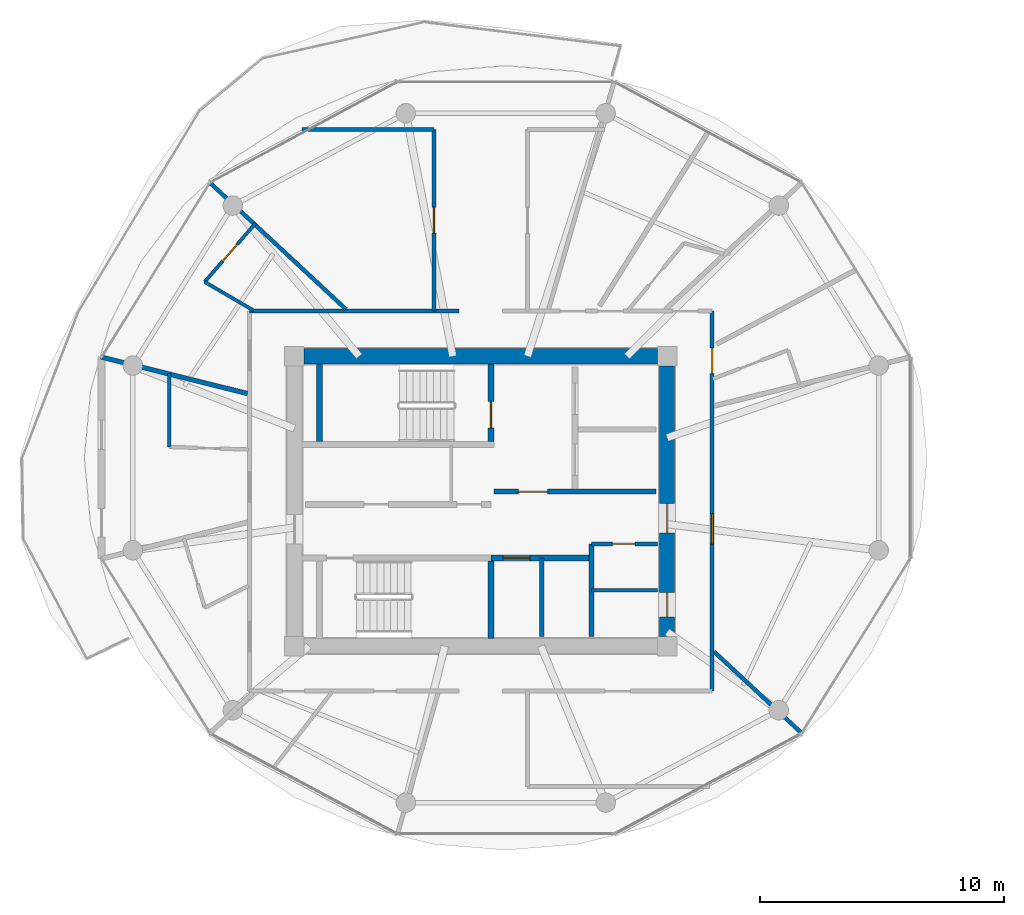
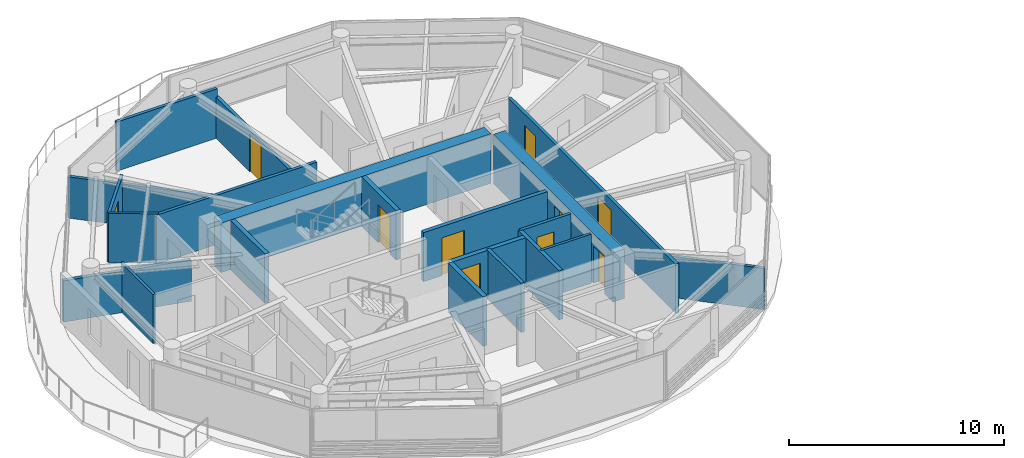
# One storey, part 13 of 22: 21 walls, 10 doors, 10 openings.
"""IFC4 building model written with IfcOpenShell, lengths in metres."""

from ifc_helpers import new_model, si_unit, direction, frame, frame_2d, origin, place, context, subcontext, project, spatial, rectangle, extrude, source, transform, mapped, material, layer, layer_set, type_object, type_shapes, element, fill, save


model = new_model("IFC4")

# Units and contexts
model_context = context("Model", 3, precision=1e-05, world=origin(), true_north=direction((0.0, 1.0)))
body_context = subcontext(model_context, "Body", "Model", "MODEL_VIEW")
ifc_project = project(units=[si_unit("LENGTHUNIT", "METRE"), si_unit("AREAUNIT", "SQUARE_METRE"), si_unit("VOLUMEUNIT", "CUBIC_METRE"), si_unit("PLANEANGLEUNIT", "RADIAN"), si_unit("MASSUNIT", "GRAM", prefix="KILO")], contexts=[model_context])

# Site, building, storey
site_placement = place(None, origin())
site = spatial("IfcSite", under=ifc_project, at=site_placement, CompositionType="ELEMENT")
building_placement = place(site_placement, origin())
building = spatial("IfcBuilding", under=site, at=building_placement, Name="Norrkilde Senior Care Towers", CompositionType="ELEMENT")
storey_placement = place(building_placement, frame((0.0, 0.0, 152.60009765625)))
storey = spatial("IfcBuildingStorey", under=building, at=storey_placement, Name="L47", CompositionType="ELEMENT", Elevation=152.60009765625)

# Wall
ifc_material_1 = material(Name="Concrete C50/60", Category="concrete")
ifc_layer_1 = layer(ifc_material_1, 0.6201171875)
ifc_layer_set_1 = layer_set([ifc_layer_1], Name="Concrete C50/60")
wall_type_1 = type_object("IfcWallType", Name="Core Shear Wall Z3 620", PredefinedType="SHEAR", material=ifc_layer_set_1)
shared_shape_1 = source(origin(), body_context, "Body", "SweptSolid", [
    extrude(rectangle(XDim=14.5, YDim=0.6201171875, at=frame_2d((7.25, 0.0))), origin(), (0.0, 0.0, 1.0), 2.809814453125),
])
wall_1_placement = place(storey_placement, frame((-35.25, 5.949951171875, 0.0), z_axis=(0.0, 0.0, 1.0), x_axis=(1.0, 0.0, 0.0)))
element("IfcWall", 1, at=wall_1_placement, inside=storey, type_object=wall_type_1, Name="L47 Core W North Shear Wall", PredefinedType="SHEAR", context=body_context, shape_type="MappedRepresentation", body=[
    mapped(shared_shape_1, transform((0.0, 0.0, 0.0), x_axis=(1.0, 0.0, 0.0), y_axis=(0.0, 1.0, 0.0), z_axis=(0.0, 0.0, 1.0), scale=1.0)),
])

# Wall, openings, doors
shared_shape_2 = source(origin(), body_context, "Body", "SweptSolid", [
    extrude(rectangle(XDim=11.10009765625, YDim=0.6201171875, at=frame_2d((5.550048828125, 0.0))), origin(), (0.0, 0.0, 1.0), 2.809814453125),
])
type_shapes(wall_type_1, [shared_shape_1, shared_shape_2])
wall_2_placement = place(storey_placement, frame((-20.35009765625, 5.550048828125, 0.0), z_axis=(0.0, 0.0, 1.0), x_axis=(0.0, -1.0, 0.0)))
wall_2 = element("IfcWall", 2, at=wall_2_placement, inside=storey, type_object=wall_type_1, Name="L47 Core W East Shear Wall", PredefinedType="SHEAR", context=body_context, shape_type="MappedRepresentation", body=[
    mapped(shared_shape_2, transform((0.0, 0.0, 0.0), x_axis=(1.0, 0.0, 0.0), y_axis=(0.0, 1.0, 0.0), z_axis=(0.0, 0.0, 1.0), scale=1.0)),
])
opening_1_placement = place(wall_2_placement, frame((5.64990234375, 0.0, 0.0)))
opening_1 = element("IfcOpeningElement", 3, at=opening_1_placement, cuts=wall_2, Name="Opening D-04", PredefinedType="OPENING", context=body_context, shape_type="SweptSolid", body=[
    extrude(rectangle(XDim=1.199951171875, YDim=2.14990234375, at=frame_2d((0.60009765625, 1.074951171875))), frame((0.0, 0.320068359375, 0.0), z_axis=(0.0, -1.0, 0.0), x_axis=(1.0, 0.0, 0.0)), (0.0, 0.0, 1.0), 0.64013671875),
])
opening_2_placement = place(wall_2_placement, frame((9.300048828125, 0.0, 0.0)))
opening_2 = element("IfcOpeningElement", 4, at=opening_2_placement, cuts=wall_2, Name="Opening D-10", PredefinedType="OPENING", context=body_context, shape_type="SweptSolid", body=[
    extrude(rectangle(XDim=1.0, YDim=2.10009765625, at=frame_2d((0.5, 1.050048828125))), frame((0.0, 0.320068359375, 0.0), z_axis=(0.0, -1.0, 0.0), x_axis=(1.0, 0.0, 0.0)), (0.0, 0.0, 1.0), 0.64013671875),
])
ifc_material_2 = material(Name="Galvanised Painted Steel", Category="steel")
door_type_1 = type_object("IfcDoorType", Name="Firefighting Lobby Fire Door 1200x2150", OperationType="NOTDEFINED", PredefinedType="DOOR", material=ifc_material_2)
shared_shape_3 = source(origin(), body_context, "Body", "SweptSolid", [
    extrude(rectangle(XDim=1.199951171875, YDim=2.14990234375, at=frame_2d((0.60009765625, 1.074951171875))), frame((0.0, 0.02490234375, 0.0), z_axis=(0.0, -1.0, 0.0), x_axis=(1.0, 0.0, 0.0)), (0.0, 0.0, 1.0), 0.050048828125),
])
type_shapes(door_type_1, [shared_shape_3])
door_1_placement = place(opening_1_placement, frame((1.199951171875, 0.0, 0.0), z_axis=(0.0, 0.0, 1.0), x_axis=(-1.0, 0.0, 0.0)))
door_1 = element("IfcDoor", 5, at=door_1_placement, inside=storey, type_object=door_type_1, Name="L47 Core W East Portal Door", OperationType="SINGLE_SWING_RIGHT", OverallHeight=2.14990234375, OverallWidth=1.199951171875, PredefinedType="DOOR", context=body_context, shape_type="MappedRepresentation", body=[
    mapped(shared_shape_3, transform((0.0, 0.0, 0.0), x_axis=(1.0, 0.0, 0.0), y_axis=(0.0, 1.0, 0.0), z_axis=(0.0, 0.0, 1.0), scale=1.0)),
])
fill(opening_1, door_1)
door_type_2 = type_object("IfcDoorType", Name="Plant and Riser Rated Door 1000x2100", OperationType="NOTDEFINED", PredefinedType="DOOR", material=ifc_material_2)
shared_shape_4 = source(origin(), body_context, "Body", "SweptSolid", [
    extrude(rectangle(XDim=1.0, YDim=2.10009765625, at=frame_2d((0.5, 1.050048828125))), frame((0.0, 0.02490234375, 0.0), z_axis=(0.0, -1.0, 0.0), x_axis=(1.0, 0.0, 0.0)), (0.0, 0.0, 1.0), 0.050048828125),
])
type_shapes(door_type_2, [shared_shape_4])
door_2_placement = place(opening_2_placement, frame((1.0, 0.0, 0.0), z_axis=(0.0, 0.0, 1.0), x_axis=(-1.0, 0.0, 0.0)))
door_2 = element("IfcDoor", 6, at=door_2_placement, inside=storey, type_object=door_type_2, Name="L47 Ventilation Riser W Door", OperationType="SINGLE_SWING_RIGHT", OverallHeight=2.10009765625, OverallWidth=1.0, PredefinedType="DOOR", context=body_context, shape_type="MappedRepresentation", body=[
    mapped(shared_shape_4, transform((0.0, 0.0, 0.0), x_axis=(1.0, 0.0, 0.0), y_axis=(0.0, 1.0, 0.0), z_axis=(0.0, 0.0, 1.0), scale=1.0)),
])
fill(opening_2, door_2)

# Wall, opening, door
ifc_material_3 = material(Name="Concrete C45/55", Category="concrete")
ifc_layer_2 = layer(ifc_material_3, 0.2099609375)
ifc_layer_set_2 = layer_set([ifc_layer_2], Name="Concrete C45/55")
wall_type_2 = type_object("IfcWallType", Name="Firefighting Lobby Wall 210", PredefinedType="PARTITIONING", material=ifc_layer_set_2)
shared_shape_5 = source(origin(), body_context, "Body", "SweptSolid", [
    extrude(rectangle(XDim=6.659912109375, YDim=0.2099609375, at=frame_2d((3.330078125, 0.0))), origin(), (0.0, 0.0, 1.0), 2.794921875),
])
type_shapes(wall_type_2, [shared_shape_5])
wall_3_placement = place(storey_placement, frame((-27.4599609375, 0.389892578125, 0.0), z_axis=(0.0, 0.0, 1.0), x_axis=(1.0, 0.0, 0.0)))
wall_3 = element("IfcWall", 7, at=wall_3_placement, inside=storey, type_object=wall_type_2, Name="WL-INT-L47-W-FFLS", PredefinedType="PARTITIONING", context=body_context, shape_type="MappedRepresentation", body=[
    mapped(shared_shape_5, transform((0.0, 0.0, 0.0), x_axis=(1.0, 0.0, 0.0), y_axis=(0.0, 1.0, 0.0), z_axis=(0.0, 0.0, 1.0), scale=1.0)),
])
opening_3_placement = place(wall_3_placement, frame((1.0, 0.0, 0.0)))
opening_3 = element("IfcOpeningElement", 8, at=opening_3_placement, cuts=wall_3, Name="Opening D-04", PredefinedType="OPENING", context=body_context, shape_type="SweptSolid", body=[
    extrude(rectangle(XDim=1.199951171875, YDim=2.14990234375, at=frame_2d((0.60009765625, 1.074951171875))), frame((0.0, 0.114990234375, 0.0), z_axis=(0.0, -1.0, 0.0), x_axis=(1.0, 0.0, 0.0)), (0.0, 0.0, 1.0), 0.22998046875),
])
door_3_placement = place(opening_3_placement, frame((1.199951171875, 0.0, 0.0), z_axis=(0.0, 0.0, 1.0), x_axis=(-1.0, 0.0, 0.0)))
door_3 = element("IfcDoor", 9, at=door_3_placement, inside=storey, type_object=door_type_1, Name="L47 Firefighting Lobby W Door", OperationType="SINGLE_SWING_LEFT", OverallHeight=2.14990234375, OverallWidth=1.199951171875, PredefinedType="DOOR", context=body_context, shape_type="MappedRepresentation", body=[
    mapped(shared_shape_3, transform((0.0, 0.0, 0.0), x_axis=(1.0, 0.0, 0.0), y_axis=(0.0, 1.0, 0.0), z_axis=(0.0, 0.0, 1.0), scale=1.0)),
])
fill(opening_3, door_3)

# Wall
ifc_layer_3 = layer(ifc_material_3, 0.199951171875)
ifc_layer_set_3 = layer_set([ifc_layer_3], Name="Concrete C45/55")
wall_type_3 = type_object("IfcWallType", Name="Shaft Division and Plant Partition 200", PredefinedType="PARTITIONING", material=ifc_layer_set_3)
shared_shape_6 = source(origin(), body_context, "Body", "SweptSolid", [
    extrude(rectangle(XDim=3.800048828125, YDim=0.199951171875, at=frame_2d((1.89990234375, 0.0))), origin(), (0.0, 0.0, 1.0), 2.794921875),
])
type_shapes(wall_type_3, [shared_shape_6])
wall_4_placement = place(storey_placement, frame((-23.449951171875, -5.550048828125, 0.0), z_axis=(0.0, 0.0, 1.0), x_axis=(0.0, 1.0, 0.0)))
element("IfcWall", 10, at=wall_4_placement, inside=storey, type_object=wall_type_3, Name="WL-INT-L47-W-PKBE", PredefinedType="PARTITIONING", context=body_context, shape_type="MappedRepresentation", body=[
    mapped(shared_shape_6, transform((0.0, 0.0, 0.0), x_axis=(1.0, 0.0, 0.0), y_axis=(0.0, 1.0, 0.0), z_axis=(0.0, 0.0, 1.0), scale=1.0)),
])

# Wall, opening, door
ifc_layer_4 = layer(ifc_material_3, 0.239990234375)
ifc_layer_set_4 = layer_set([ifc_layer_4], Name="Concrete C45/55")
wall_type_4 = type_object("IfcWallType", Name="Lift and Plant Rated Enclosure Partition 240", PredefinedType="PARTITIONING", material=ifc_layer_set_4)
shared_shape_7 = source(origin(), body_context, "Body", "SweptSolid", [
    extrude(rectangle(XDim=4.130126953125, YDim=0.239990234375, at=frame_2d((2.06494140625, 0.0))), origin(), (0.0, 0.0, 1.0), 2.794921875),
])
type_shapes(wall_type_4, [shared_shape_7])
wall_5_placement = place(storey_placement, frame((-27.580078125, -2.330078125, 0.0), z_axis=(0.0, 0.0, 1.0), x_axis=(1.0, 0.0, 0.0)))
wall_5 = element("IfcWall", 11, at=wall_5_placement, inside=storey, type_object=wall_type_4, Name="WL-INT-L47-W-PKBN", PredefinedType="PARTITIONING", context=body_context, shape_type="MappedRepresentation", body=[
    mapped(shared_shape_7, transform((0.0, 0.0, 0.0), x_axis=(1.0, 0.0, 0.0), y_axis=(0.0, 1.0, 0.0), z_axis=(0.0, 0.0, 1.0), scale=1.0)),
])
opening_4_placement = place(wall_5_placement, frame((0.5, 0.0, 0.0)))
opening_4 = element("IfcOpeningElement", 12, at=opening_4_placement, cuts=wall_5, Name="Opening LD-01", PredefinedType="OPENING", context=body_context, shape_type="SweptSolid", body=[
    extrude(rectangle(XDim=1.10009765625, YDim=2.199951171875, at=frame_2d((0.550048828125, 1.10009765625))), frame((0.0, 0.1298828125, 0.0), z_axis=(0.0, -1.0, 0.0), x_axis=(1.0, 0.0, 0.0)), (0.0, 0.0, 1.0), 0.260009765625),
])
ifc_material_4 = material(Name="Stainless Steel", Category="steel")
door_type_3 = type_object("IfcDoorType", Name="Lift Landing Sliding Door 1100x2200", OperationType="NOTDEFINED", PredefinedType="DOOR", material=ifc_material_4)
shared_shape_8 = source(origin(), body_context, "Body", "SweptSolid", [
    extrude(rectangle(XDim=1.10009765625, YDim=2.199951171875, at=frame_2d((0.550048828125, 1.10009765625))), frame((0.0, 0.02490234375, 0.0), z_axis=(0.0, -1.0, 0.0), x_axis=(1.0, 0.0, 0.0)), (0.0, 0.0, 1.0), 0.050048828125),
])
type_shapes(door_type_3, [shared_shape_8])
door_4_placement = place(opening_4_placement, frame((1.10009765625, 0.0, 0.0), z_axis=(0.0, 0.0, 1.0), x_axis=(-1.0, 0.0, 0.0)))
door_4 = element("IfcDoor", 13, at=door_4_placement, inside=storey, type_object=door_type_3, Name="L47 Passenger Lift W3 Landing Door", OperationType="SLIDING_TO_LEFT", OverallHeight=2.199951171875, OverallWidth=1.10009765625, PredefinedType="DOOR", context=body_context, shape_type="MappedRepresentation", body=[
    mapped(shared_shape_8, transform((0.0, 0.0, 0.0), x_axis=(1.0, 0.0, 0.0), y_axis=(0.0, 1.0, 0.0), z_axis=(0.0, 0.0, 1.0), scale=1.0)),
])
fill(opening_4, door_4)

# Wall
ifc_layer_5 = layer(ifc_material_3, 0.179931640625)
ifc_layer_set_5 = layer_set([ifc_layer_5], Name="Concrete C45/55")
wall_type_5 = type_object("IfcWallType", Name="Hoistway Division Rated Partition 180", PredefinedType="PARTITIONING", material=ifc_layer_set_5)
shared_shape_9 = source(origin(), body_context, "Body", "SweptSolid", [
    extrude(rectangle(XDim=3.219970703125, YDim=0.179931640625, at=frame_2d((1.60986328125, 0.0))), origin(), (0.0, 0.0, 1.0), 2.794921875),
])
type_shapes(wall_type_5, [shared_shape_9])
wall_6_placement = place(storey_placement, frame((-25.5, -5.550048828125, 0.0), z_axis=(0.0, 0.0, 1.0), x_axis=(0.0, 1.0, 0.0)))
element("IfcWall", 14, at=wall_6_placement, inside=storey, type_object=wall_type_5, Name="WL-INT-L47-W-PL34", PredefinedType="PARTITIONING", context=body_context, shape_type="MappedRepresentation", body=[
    mapped(shared_shape_9, transform((0.0, 0.0, 0.0), x_axis=(1.0, 0.0, 0.0), y_axis=(0.0, 1.0, 0.0), z_axis=(0.0, 0.0, 1.0), scale=1.0)),
])

# Wall, opening, door
ifc_material_5 = material(Name="Gypsum Acoustic Board")
ifc_layer_6 = layer(ifc_material_5, 0.1650390625)
ifc_layer_set_6 = layer_set([ifc_layer_6], Name="Gypsum Acoustic Board")
wall_type_6 = type_object("IfcWallType", Name="Corridor Rated Partition 165", PredefinedType="PARTITIONING", material=ifc_layer_set_6)
shared_shape_10 = source(origin(), body_context, "Body", "SweptSolid", [
    extrude(rectangle(XDim=2.699951171875, YDim=0.1650390625, at=frame_2d((1.35009765625, 0.0))), origin(), (0.0, 0.0, 1.0), 2.794921875),
])
wall_7_placement = place(storey_placement, frame((-23.449951171875, -1.75, 0.0), z_axis=(0.0, 0.0, 1.0), x_axis=(1.0, 0.0, 0.0)))
wall_7 = element("IfcWall", 15, at=wall_7_placement, inside=storey, type_object=wall_type_6, Name="WL-INT-L47-W-CSN", PredefinedType="PARTITIONING", context=body_context, shape_type="MappedRepresentation", body=[
    mapped(shared_shape_10, transform((0.0, 0.0, 0.0), x_axis=(1.0, 0.0, 0.0), y_axis=(0.0, 1.0, 0.0), z_axis=(0.0, 0.0, 1.0), scale=1.0)),
])
opening_5_placement = place(wall_7_placement, frame((0.85009765625, 0.0, 0.0)))
opening_5 = element("IfcOpeningElement", 16, at=opening_5_placement, cuts=wall_7, Name="Opening D-12", PredefinedType="OPENING", context=body_context, shape_type="SweptSolid", body=[
    extrude(rectangle(XDim=0.925048828125, YDim=2.10009765625, at=frame_2d((0.46240234375, 1.050048828125))), frame((0.0, 0.092529296875, 0.0), z_axis=(0.0, -1.0, 0.0), x_axis=(1.0, 0.0, 0.0)), (0.0, 0.0, 1.0), 0.18505859375),
])
door_type_4 = type_object("IfcDoorType", Name="Core Wet Room Rated Door 925x2100", OperationType="NOTDEFINED", PredefinedType="DOOR", material=ifc_material_2)
shared_shape_11 = source(origin(), body_context, "Body", "SweptSolid", [
    extrude(rectangle(XDim=0.925048828125, YDim=2.10009765625, at=frame_2d((0.46240234375, 1.050048828125))), frame((0.0, 0.02490234375, 0.0), z_axis=(0.0, -1.0, 0.0), x_axis=(1.0, 0.0, 0.0)), (0.0, 0.0, 1.0), 0.050048828125),
])
type_shapes(door_type_4, [shared_shape_11])
door_5_placement = place(opening_5_placement, origin())
door_5 = element("IfcDoor", 17, at=door_5_placement, inside=storey, type_object=door_type_4, Name="L47 Staff WC W Door", OperationType="SINGLE_SWING_LEFT", OverallHeight=2.10009765625, OverallWidth=0.925048828125, PredefinedType="DOOR", context=body_context, shape_type="MappedRepresentation", body=[
    mapped(shared_shape_11, transform((0.0, 0.0, 0.0), x_axis=(1.0, 0.0, 0.0), y_axis=(0.0, 1.0, 0.0), z_axis=(0.0, 0.0, 1.0), scale=1.0)),
])
fill(opening_5, door_5)

# Walls
ifc_layer_7 = layer(ifc_material_5, 0.139892578125)
ifc_layer_set_7 = layer_set([ifc_layer_7], Name="Gypsum Acoustic Board")
wall_type_7 = type_object("IfcWallType", Name="En-suite Wet Room Wall 140", PredefinedType="PARTITIONING", material=ifc_layer_set_7)
shared_shape_12 = source(origin(), body_context, "Body", "SweptSolid", [
    extrude(rectangle(XDim=2.699951171875, YDim=0.139892578125, at=frame_2d((1.35009765625, 0.0))), origin(), (0.0, 0.0, 1.0), 2.794921875),
])
wall_8_placement = place(storey_placement, frame((-23.449951171875, -3.64990234375, 0.0), z_axis=(0.0, 0.0, 1.0), x_axis=(1.0, 0.0, 0.0)))
element("IfcWall", 18, at=wall_8_placement, inside=storey, type_object=wall_type_7, Name="WL-INT-L47-W-CS2H", PredefinedType="PARTITIONING", context=body_context, shape_type="MappedRepresentation", body=[
    mapped(shared_shape_12, transform((0.0, 0.0, 0.0), x_axis=(1.0, 0.0, 0.0), y_axis=(0.0, 1.0, 0.0), z_axis=(0.0, 0.0, 1.0), scale=1.0)),
])
shared_shape_13 = source(origin(), body_context, "Body", "SweptSolid", [
    extrude(rectangle(XDim=8.60009765625, YDim=0.1650390625, at=frame_2d((4.300048828125, 0.0))), origin(), (0.0, 0.0, 1.0), 2.794921875),
])
wall_9_placement = place(storey_placement, frame((-37.5, 7.800048828125, 0.0), z_axis=(0.0, 0.0, 1.0), x_axis=(1.0, 0.0, 0.0)))
element("IfcWall", 19, at=wall_9_placement, inside=storey, type_object=wall_type_6, Name="WL-INT-L47-W-CRW-N-0", PredefinedType="PARTITIONING", context=body_context, shape_type="MappedRepresentation", body=[
    mapped(shared_shape_13, transform((0.0, 0.0, 0.0), x_axis=(1.0, 0.0, 0.0), y_axis=(0.0, 1.0, 0.0), z_axis=(0.0, 0.0, 1.0), scale=1.0)),
])

# Wall, openings, doors
shared_shape_14 = source(origin(), body_context, "Body", "SweptSolid", [
    extrude(rectangle(XDim=15.60009765625, YDim=0.1650390625, at=frame_2d((7.800048828125, 0.0))), origin(), (0.0, 0.0, 1.0), 2.794921875),
])
wall_10_placement = place(storey_placement, frame((-18.5, 7.800048828125, 0.0), z_axis=(0.0, 0.0, 1.0), x_axis=(0.0, -1.0, 0.0)))
wall_10 = element("IfcWall", 20, at=wall_10_placement, inside=storey, type_object=wall_type_6, Name="WL-INT-L47-W-CRW-E-0", PredefinedType="PARTITIONING", context=body_context, shape_type="MappedRepresentation", body=[
    mapped(shared_shape_14, transform((0.0, 0.0, 0.0), x_axis=(1.0, 0.0, 0.0), y_axis=(0.0, 1.0, 0.0), z_axis=(0.0, 0.0, 1.0), scale=1.0)),
])
opening_6_placement = place(wall_10_placement, frame((8.31396484375, 0.0, 0.0)))
opening_6 = element("IfcOpeningElement", 21, at=opening_6_placement, cuts=wall_10, Name="Opening D-05", PredefinedType="OPENING", context=body_context, shape_type="SweptSolid", body=[
    extrude(rectangle(XDim=1.25, YDim=2.199951171875, at=frame_2d((0.625, 1.10009765625))), frame((0.0, 0.092529296875, 0.0), z_axis=(0.0, -1.0, 0.0), x_axis=(1.0, 0.0, 0.0)), (0.0, 0.0, 1.0), 0.18505859375),
])
opening_7_placement = place(wall_10_placement, frame((1.514892578125, 0.0, 0.0)))
opening_7 = element("IfcOpeningElement", 22, at=opening_7_placement, cuts=wall_10, Name="Opening D-06", PredefinedType="OPENING", context=body_context, shape_type="SweptSolid", body=[
    extrude(rectangle(XDim=1.050048828125, YDim=2.14990234375, at=frame_2d((0.52490234375, 1.074951171875))), frame((0.0, 0.092529296875, 0.0), z_axis=(0.0, -1.0, 0.0), x_axis=(1.0, 0.0, 0.0)), (0.0, 0.0, 1.0), 0.18505859375),
])
ifc_material_6 = material(Name="Nordic Ash Timber", Category="wood")
door_type_5 = type_object("IfcDoorType", Name="Care Bedroom Bariatric Door 1250x2200", OperationType="NOTDEFINED", PredefinedType="DOOR", material=ifc_material_6)
shared_shape_15 = source(origin(), body_context, "Body", "SweptSolid", [
    extrude(rectangle(XDim=1.25, YDim=2.199951171875, at=frame_2d((0.625, 1.10009765625))), frame((0.0, 0.02490234375, 0.0), z_axis=(0.0, -1.0, 0.0), x_axis=(1.0, 0.0, 0.0)), (0.0, 0.0, 1.0), 0.050048828125),
])
type_shapes(door_type_5, [shared_shape_15])
door_6_placement = place(opening_6_placement, frame((1.25, 0.0, 0.0), z_axis=(0.0, 0.0, 1.0), x_axis=(-1.0, 0.0, 0.0)))
door_6 = element("IfcDoor", 23, at=door_6_placement, inside=storey, type_object=door_type_5, Name="L47 Resident Family Conference Room Door", OperationType="SINGLE_SWING_LEFT", OverallHeight=2.199951171875, OverallWidth=1.25, PredefinedType="DOOR", context=body_context, shape_type="MappedRepresentation", body=[
    mapped(shared_shape_15, transform((0.0, 0.0, 0.0), x_axis=(1.0, 0.0, 0.0), y_axis=(0.0, 1.0, 0.0), z_axis=(0.0, 0.0, 1.0), scale=1.0)),
])
fill(opening_6, door_6)
door_type_6 = type_object("IfcDoorType", Name="Apartment Entrance Fire Door 1050x2150", OperationType="NOTDEFINED", PredefinedType="DOOR", material=ifc_material_6)
shared_shape_16 = source(origin(), body_context, "Body", "SweptSolid", [
    extrude(rectangle(XDim=1.050048828125, YDim=2.14990234375, at=frame_2d((0.52490234375, 1.074951171875))), frame((0.0, 0.02490234375, 0.0), z_axis=(0.0, -1.0, 0.0), x_axis=(1.0, 0.0, 0.0)), (0.0, 0.0, 1.0), 0.050048828125),
])
type_shapes(door_type_6, [shared_shape_16])
door_7_placement = place(opening_7_placement, frame((1.050048828125, 0.0, 0.0), z_axis=(0.0, 0.0, 1.0), x_axis=(-1.0, 0.0, 0.0)))
door_7 = element("IfcDoor", 24, at=door_7_placement, inside=storey, type_object=door_type_6, Name="L47 Care Suite 4700A Entrance Door", OperationType="SINGLE_SWING_RIGHT", OverallHeight=2.14990234375, OverallWidth=1.050048828125, PredefinedType="DOOR", context=body_context, shape_type="MappedRepresentation", body=[
    mapped(shared_shape_16, transform((0.0, 0.0, 0.0), x_axis=(1.0, 0.0, 0.0), y_axis=(0.0, 1.0, 0.0), z_axis=(0.0, 0.0, 1.0), scale=1.0)),
])
fill(opening_7, door_7)

# Walls
shared_shape_17 = source(origin(), body_context, "Body", "SweptSolid", [
    extrude(rectangle(XDim=7.64794921875, YDim=0.1650390625, at=frame_2d((3.823974609375, 0.0))), origin(), (0.0, 0.0, 1.0), 2.344970703125),
])
wall_11_placement = place(storey_placement, frame((-33.53759765625, 7.8798828125, 0.0), z_axis=(0.0, 0.0, 1.0), x_axis=(-0.732167856666, 0.681124239522, 0.0)))
element("IfcWall", 25, at=wall_11_placement, inside=storey, type_object=wall_type_6, Name="WL-INT-L47-W-DEM-04-0", PredefinedType="PARTITIONING", context=body_context, shape_type="MappedRepresentation", body=[
    mapped(shared_shape_17, transform((0.0, 0.0, 0.0), x_axis=(1.0, 0.0, 0.0), y_axis=(0.0, 1.0, 0.0), z_axis=(0.0, 0.0, 1.0), scale=1.0)),
])
shared_shape_18 = source(origin(), body_context, "Body", "SweptSolid", [
    extrude(rectangle(XDim=4.926513671875, YDim=0.1650390625, at=frame_2d((2.46337890625, 0.0))), origin(), (0.0, 0.0, 1.0), 2.344970703125),
])
wall_12_placement = place(storey_placement, frame((-18.419921875, -6.182861328125, 0.0), z_axis=(0.0, 0.0, 1.0), x_axis=(0.732191335987, -0.681098999783, 0.0)))
element("IfcWall", 26, at=wall_12_placement, inside=storey, type_object=wall_type_6, Name="WL-INT-L47-W-DEM-10-0", PredefinedType="PARTITIONING", context=body_context, shape_type="MappedRepresentation", body=[
    mapped(shared_shape_18, transform((0.0, 0.0, 0.0), x_axis=(1.0, 0.0, 0.0), y_axis=(0.0, 1.0, 0.0), z_axis=(0.0, 0.0, 1.0), scale=1.0)),
])
ifc_layer_8 = layer(ifc_material_5, 0.18994140625)
ifc_layer_set_8 = layer_set([ifc_layer_8], Name="Gypsum Acoustic Board")
wall_type_8 = type_object("IfcWallType", Name="Unit Demising Acoustic Wall 190", PredefinedType="PARTITIONING", material=ifc_layer_set_8)
shared_shape_19 = source(origin(), body_context, "Body", "SweptSolid", [
    extrude(rectangle(XDim=6.192626953125, YDim=0.18994140625, at=frame_2d((3.09619140625, 0.0))), origin(), (0.0, 0.0, 1.0), 2.344970703125),
])
type_shapes(wall_type_8, [shared_shape_19])
wall_13_placement = place(storey_placement, frame((-37.580078125, 4.418701171875, 0.0), z_axis=(0.0, 0.0, 1.0), x_axis=(-0.970309243466, 0.241867674657, 0.0)))
element("IfcWall", 27, at=wall_13_placement, inside=storey, type_object=wall_type_8, Name="WL-INT-L47-W-DEM-05-0", PredefinedType="PARTITIONING", context=body_context, shape_type="MappedRepresentation", body=[
    mapped(shared_shape_19, transform((0.0, 0.0, 0.0), x_axis=(1.0, 0.0, 0.0), y_axis=(0.0, 1.0, 0.0), z_axis=(0.0, 0.0, 1.0), scale=1.0)),
])
ifc_layer_9 = layer(ifc_material_3, 0.239990234375)
ifc_layer_set_9 = layer_set([ifc_layer_9], Name="Concrete C45/55")
wall_type_9 = type_object("IfcWallType", Name="Shaft and Stair Enclosure Wall 240", PredefinedType="PARTITIONING", material=ifc_layer_set_9)
shared_shape_20 = source(origin(), body_context, "Body", "SweptSolid", [
    extrude(rectangle(XDim=3.18994140625, YDim=0.239990234375, at=frame_2d((1.594970703125, 0.0))), origin(), (0.0, 0.0, 1.0), 2.809814453125),
])
type_shapes(wall_type_9, [shared_shape_20])
wall_14_placement = place(storey_placement, frame((-34.6201171875, 2.449951171875, 0.0), z_axis=(0.0, 0.0, 1.0), x_axis=(0.0, 1.0, 0.0)))
element("IfcWall", 28, at=wall_14_placement, inside=storey, type_object=wall_type_9, Name="WL-INT-L47-W-ST1W", PredefinedType="PARTITIONING", context=body_context, shape_type="MappedRepresentation", body=[
    mapped(shared_shape_20, transform((0.0, 0.0, 0.0), x_axis=(1.0, 0.0, 0.0), y_axis=(0.0, 1.0, 0.0), z_axis=(0.0, 0.0, 1.0), scale=1.0)),
])

# Wall, opening, door
wall_15_placement = place(storey_placement, frame((-27.580078125, 2.449951171875, 0.0), z_axis=(0.0, 0.0, 1.0), x_axis=(0.0, 1.0, 0.0)))
wall_15 = element("IfcWall", 29, at=wall_15_placement, inside=storey, type_object=wall_type_9, Name="WL-INT-L47-W-ST1E", PredefinedType="PARTITIONING", context=body_context, shape_type="MappedRepresentation", body=[
    mapped(shared_shape_20, transform((0.0, 0.0, 0.0), x_axis=(1.0, 0.0, 0.0), y_axis=(0.0, 1.0, 0.0), z_axis=(0.0, 0.0, 1.0), scale=1.0)),
])
opening_8_placement = place(wall_15_placement, frame((0.550048828125, 0.0, 0.0)))
opening_8 = element("IfcOpeningElement", 30, at=opening_8_placement, cuts=wall_15, Name="Opening D-03", PredefinedType="OPENING", context=body_context, shape_type="SweptSolid", body=[
    extrude(rectangle(XDim=1.10009765625, YDim=2.14990234375, at=frame_2d((0.550048828125, 1.074951171875))), frame((0.0, 0.1298828125, 0.0), z_axis=(0.0, -1.0, 0.0), x_axis=(1.0, 0.0, 0.0)), (0.0, 0.0, 1.0), 0.260009765625),
])
door_type_7 = type_object("IfcDoorType", Name="Stairwell Protected Fire Door 1100x2150", OperationType="NOTDEFINED", PredefinedType="DOOR", material=ifc_material_2)
shared_shape_21 = source(origin(), body_context, "Body", "SweptSolid", [
    extrude(rectangle(XDim=1.10009765625, YDim=2.14990234375, at=frame_2d((0.550048828125, 1.074951171875))), frame((0.0, 0.02490234375, 0.0), z_axis=(0.0, -1.0, 0.0), x_axis=(1.0, 0.0, 0.0)), (0.0, 0.0, 1.0), 0.050048828125),
])
type_shapes(door_type_7, [shared_shape_21])
door_8_placement = place(opening_8_placement, origin())
door_8 = element("IfcDoor", 31, at=door_8_placement, inside=storey, type_object=door_type_7, Name="L47 Stair W1 Fire Door", OperationType="SINGLE_SWING_LEFT", OverallHeight=2.14990234375, OverallWidth=1.10009765625, PredefinedType="DOOR", context=body_context, shape_type="MappedRepresentation", body=[
    mapped(shared_shape_21, transform((0.0, 0.0, 0.0), x_axis=(1.0, 0.0, 0.0), y_axis=(0.0, 1.0, 0.0), z_axis=(0.0, 0.0, 1.0), scale=1.0)),
])
fill(opening_8, door_8)

# Wall
wall_16_placement = place(storey_placement, frame((-27.580078125, -5.639892578125, 0.0), z_axis=(0.0, 0.0, 1.0), x_axis=(0.0, 1.0, 0.0)))
element("IfcWall", 32, at=wall_16_placement, inside=storey, type_object=wall_type_9, Name="WL-INT-L47-W-ST2E", PredefinedType="PARTITIONING", context=body_context, shape_type="MappedRepresentation", body=[
    mapped(shared_shape_20, transform((0.0, 0.0, 0.0), x_axis=(1.0, 0.0, 0.0), y_axis=(0.0, 1.0, 0.0), z_axis=(0.0, 0.0, 1.0), scale=1.0)),
])

# Wall, opening, door
shared_shape_22 = source(origin(), body_context, "Body", "SweptSolid", [
    extrude(rectangle(XDim=7.46533203125, YDim=0.1650390625, at=frame_2d((3.732666015625, 0.0))), origin(), (0.0, 0.0, 1.0), 2.344970703125),
])
wall_17_placement = place(storey_placement, frame((-29.919921875, 7.800048828125, 0.0), z_axis=(0.0, 0.0, 1.0), x_axis=(0.0, 1.0, 0.0)))
wall_17 = element("IfcWall", 33, at=wall_17_placement, inside=storey, type_object=wall_type_6, Name="WL-INT-L47-W-PKW-NWL", PredefinedType="PARTITIONING", context=body_context, shape_type="MappedRepresentation", body=[
    mapped(shared_shape_22, transform((0.0, 0.0, 0.0), x_axis=(1.0, 0.0, 0.0), y_axis=(0.0, 1.0, 0.0), z_axis=(0.0, 0.0, 1.0), scale=1.0)),
])
opening_9_placement = place(wall_17_placement, frame((3.207763671875, 0.0, 0.0)))
opening_9 = element("IfcOpeningElement", 34, at=opening_9_placement, cuts=wall_17, Name="Opening D-06", PredefinedType="OPENING", context=body_context, shape_type="SweptSolid", body=[
    extrude(rectangle(XDim=1.050048828125, YDim=2.14990234375, at=frame_2d((0.52490234375, 1.074951171875))), frame((0.0, 0.092529296875, 0.0), z_axis=(0.0, -1.0, 0.0), x_axis=(1.0, 0.0, 0.0)), (0.0, 0.0, 1.0), 0.18505859375),
])
door_9_placement = place(opening_9_placement, frame((1.050048828125, 0.0, 0.0), z_axis=(0.0, 0.0, 1.0), x_axis=(-1.0, 0.0, 0.0)))
door_9 = element("IfcDoor", 35, at=door_9_placement, inside=storey, type_object=door_type_6, Name="L47 Reading Lounge NWL Door", OperationType="SINGLE_SWING_RIGHT", OverallHeight=2.14990234375, OverallWidth=1.050048828125, PredefinedType="DOOR", context=body_context, shape_type="MappedRepresentation", body=[
    mapped(shared_shape_16, transform((0.0, 0.0, 0.0), x_axis=(1.0, 0.0, 0.0), y_axis=(0.0, 1.0, 0.0), z_axis=(0.0, 0.0, 1.0), scale=1.0)),
])
fill(opening_9, door_9)

# Walls
shared_shape_23 = source(origin(), body_context, "Body", "SweptSolid", [
    extrude(rectangle(XDim=5.423095703125, YDim=0.1650390625, at=frame_2d((2.71142578125, 0.0))), origin(), (0.0, 0.0, 1.0), 2.794921875),
])
type_shapes(wall_type_6, [shared_shape_10, shared_shape_13, shared_shape_14, shared_shape_17, shared_shape_18, shared_shape_22, shared_shape_23])
wall_18_placement = place(storey_placement, frame((-35.343017578125, 15.265380859375, 0.0), z_axis=(0.0, 0.0, 1.0), x_axis=(1.0, 0.0, 0.0)))
element("IfcWall", 36, at=wall_18_placement, inside=storey, type_object=wall_type_6, Name="WL-INT-L47-W-PKH-NWL-0", PredefinedType="PARTITIONING", context=body_context, shape_type="MappedRepresentation", body=[
    mapped(shared_shape_23, transform((0.0, 0.0, 0.0), x_axis=(1.0, 0.0, 0.0), y_axis=(0.0, 1.0, 0.0), z_axis=(0.0, 0.0, 1.0), scale=1.0)),
])
shared_shape_24 = source(origin(), body_context, "Body", "SweptSolid", [
    extrude(rectangle(XDim=2.32275390625, YDim=0.139892578125, at=frame_2d((1.161376953125, 0.0))), origin(), (0.0, 0.0, 1.0), 2.794921875),
])
wall_19_placement = place(storey_placement, frame((-37.3310546875, 7.830078125, 0.0), z_axis=(0.0, 0.0, 1.0), x_axis=(-0.863343994595, 0.504615841009, 0.0)))
element("IfcWall", 37, at=wall_19_placement, inside=storey, type_object=wall_type_7, Name="WL-INT-L47-W-ES-04", PredefinedType="PARTITIONING", context=body_context, shape_type="MappedRepresentation", body=[
    mapped(shared_shape_24, transform((0.0, 0.0, 0.0), x_axis=(1.0, 0.0, 0.0), y_axis=(0.0, 1.0, 0.0), z_axis=(0.0, 0.0, 1.0), scale=1.0)),
])

# Wall, opening, door
shared_shape_25 = source(origin(), body_context, "Body", "SweptSolid", [
    extrude(rectangle(XDim=3.170654296875, YDim=0.139892578125, at=frame_2d((1.58544921875, 0.0))), origin(), (0.0, 0.0, 1.0), 2.794921875),
])
wall_20_placement = place(storey_placement, frame((-39.33642578125, 9.002197265625, 0.0), z_axis=(0.0, 0.0, 1.0), x_axis=(0.654953989592, 0.755668757801, 0.0)))
wall_20 = element("IfcWall", 38, at=wall_20_placement, inside=storey, type_object=wall_type_7, Name="WL-INT-L47-W-EF-04", PredefinedType="PARTITIONING", context=body_context, shape_type="MappedRepresentation", body=[
    mapped(shared_shape_25, transform((0.0, 0.0, 0.0), x_axis=(1.0, 0.0, 0.0), y_axis=(0.0, 1.0, 0.0), z_axis=(0.0, 0.0, 1.0), scale=1.0)),
])
opening_10_placement = place(wall_20_placement, frame((1.125244140625, 0.0, 0.0)))
opening_10 = element("IfcOpeningElement", 39, at=opening_10_placement, cuts=wall_20, Name="Opening D-08", PredefinedType="OPENING", context=body_context, shape_type="SweptSolid", body=[
    extrude(rectangle(XDim=0.919921875, YDim=2.10009765625, at=frame_2d((0.4599609375, 1.050048828125))), frame((0.0, 0.079833984375, 0.0), z_axis=(0.0, -1.0, 0.0), x_axis=(1.0, 0.0, 0.0)), (0.0, 0.0, 1.0), 0.159912109375),
])
door_type_8 = type_object("IfcDoorType", Name="Accessible Wet Room Door 920x2100", OperationType="NOTDEFINED", PredefinedType="DOOR", material=ifc_material_6)
shared_shape_26 = source(origin(), body_context, "Body", "SweptSolid", [
    extrude(rectangle(XDim=0.919921875, YDim=2.10009765625, at=frame_2d((0.4599609375, 1.050048828125))), frame((0.0, 0.02490234375, 0.0), z_axis=(0.0, -1.0, 0.0), x_axis=(1.0, 0.0, 0.0)), (0.0, 0.0, 1.0), 0.050048828125),
])
type_shapes(door_type_8, [shared_shape_26])
door_10_placement = place(opening_10_placement, origin())
door_10 = element("IfcDoor", 40, at=door_10_placement, inside=storey, type_object=door_type_8, Name="L47 Care Suite 4704 Bathroom Door", OperationType="SINGLE_SWING_RIGHT", OverallHeight=2.10009765625, OverallWidth=0.919921875, PredefinedType="DOOR", context=body_context, shape_type="MappedRepresentation", body=[
    mapped(shared_shape_26, transform((0.0, 0.0, 0.0), x_axis=(1.0, 0.0, 0.0), y_axis=(0.0, 1.0, 0.0), z_axis=(0.0, 0.0, 1.0), scale=1.0)),
])
fill(opening_10, door_10)

# Wall
shared_shape_27 = source(origin(), body_context, "Body", "SweptSolid", [
    extrude(rectangle(XDim=3.011962890625, YDim=0.139892578125, at=frame_2d((1.505859375, 0.0))), origin(), (0.0, 0.0, 1.0), 2.794921875),
])
type_shapes(wall_type_7, [shared_shape_12, shared_shape_24, shared_shape_25, shared_shape_27])
wall_21_placement = place(storey_placement, frame((-40.797607421875, 2.22705078125, 0.0), z_axis=(0.0, 0.0, 1.0), x_axis=(0.00226958968, 0.999997424478, 0.0)))
element("IfcWall", 41, at=wall_21_placement, inside=storey, type_object=wall_type_7, Name="WL-INT-L47-W-EF-05", PredefinedType="PARTITIONING", context=body_context, shape_type="MappedRepresentation", body=[
    mapped(shared_shape_27, transform((0.0, 0.0, 0.0), x_axis=(1.0, 0.0, 0.0), y_axis=(0.0, 1.0, 0.0), z_axis=(0.0, 0.0, 1.0), scale=1.0)),
])

save(model, "model.ifc")
